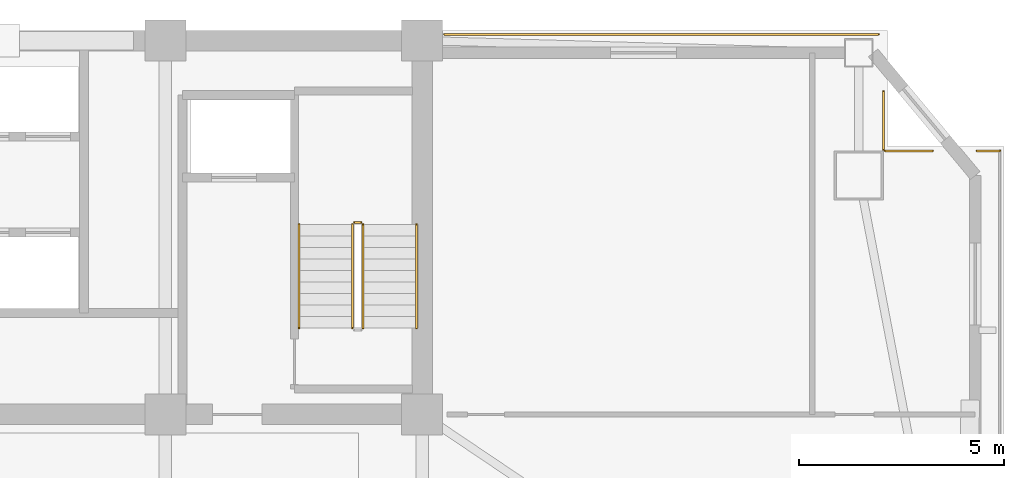
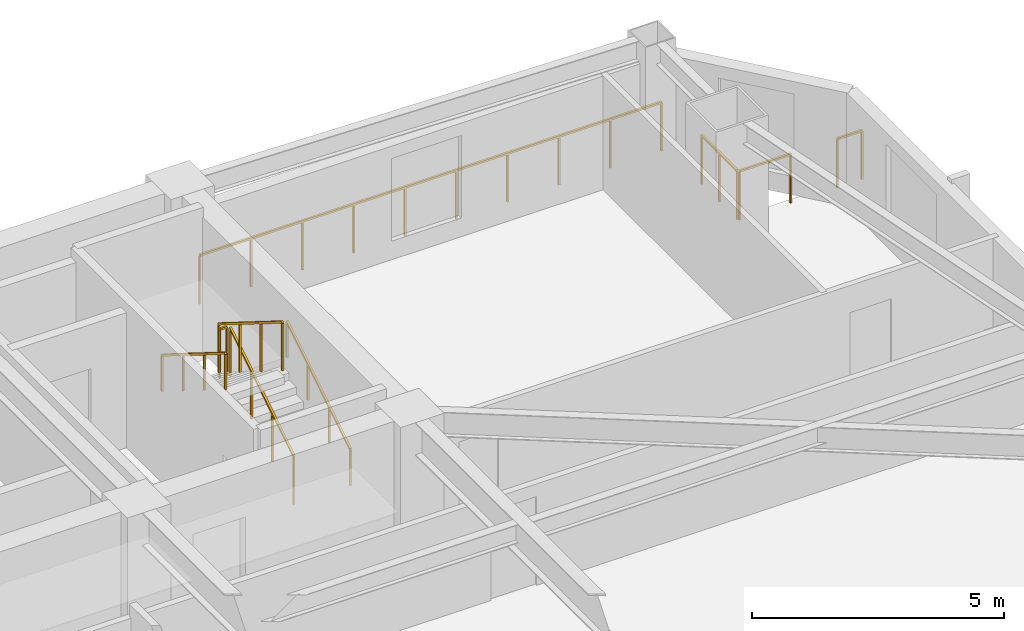
# One storey, part 17 of 17: 9 railings.
"""IFC4 building model written with IfcOpenShell, lengths in metres."""

from ifc_helpers import new_model, si_unit, direction, frame, origin, origin_2d, place, context, subcontext, project, spatial, rectangle, extrude, material, type_object, element, save


model = new_model("IFC4")

# Units and contexts
model_context = context("Model", 3, precision=1e-05, world=origin(), true_north=direction((0.0, 1.0)))
body_context = subcontext(model_context, "Body", "Model", "MODEL_VIEW")
ifc_project = project(units=[si_unit("LENGTHUNIT", "METRE"), si_unit("AREAUNIT", "SQUARE_METRE"), si_unit("VOLUMEUNIT", "CUBIC_METRE"), si_unit("PLANEANGLEUNIT", "RADIAN"), si_unit("MASSUNIT", "GRAM", prefix="KILO")], contexts=[model_context])

# Site, building, storey
site_placement = place(None, origin())
site = spatial("IfcSite", under=ifc_project, at=site_placement, CompositionType="ELEMENT")
building_placement = place(site_placement, origin())
building = spatial("IfcBuilding", under=site, at=building_placement, Name="Giltprow Tower", CompositionType="ELEMENT")
storey_placement = place(building_placement, frame((0.0, 0.0, 195.699951171875)))
storey = spatial("IfcBuildingStorey", under=building, at=storey_placement, Name="L49", CompositionType="ELEMENT", Elevation=195.699951171875)

# Railings
ifc_material = material(Name="Anodized bronze", Category="metal")
railing_type_1 = type_object("IfcRailingType", Name="RAIL-BALC-GUARD-1200", PredefinedType="BALUSTRADE", material=ifc_material)
railing_1_placement = place(storey_placement, frame((51.0849609375, 46.699951171875, 0.0)))
element("IfcRailing", 1, at=railing_1_placement, inside=storey, type_object=railing_type_1, Name="L49 Corner Apron Edge Balustrade 10", PredefinedType="BALUSTRADE", context=body_context, shape_type="SweptSolid", body=[
    extrude(rectangle(XDim=0.048095703125, YDim=0.048095703125, at=origin_2d()), frame((0.0, 0.0, 1.17578125), z_axis=(1.0, 0.0, 0.0), x_axis=(0.0, 1.0, 0.0)), (0.0, 0.0, 1.0), 10.575927734375),
    extrude(rectangle(XDim=0.0419921875, YDim=0.0419921875, at=origin_2d()), origin(), (0.0, 0.0, 1.0), 1.15185546875),
    extrude(rectangle(XDim=0.0419921875, YDim=0.0419921875, at=origin_2d()), frame((1.175048828125, 0.0, 0.0)), (0.0, 0.0, 1.0), 1.15185546875),
    extrude(rectangle(XDim=0.0419921875, YDim=0.0419921875, at=origin_2d()), frame((2.35009765625, 0.0, 0.0)), (0.0, 0.0, 1.0), 1.15185546875),
    extrude(rectangle(XDim=0.0419921875, YDim=0.0419921875, at=origin_2d()), frame((3.525390625, 0.0, 0.0)), (0.0, 0.0, 1.0), 1.15185546875),
    extrude(rectangle(XDim=0.0419921875, YDim=0.0419921875, at=origin_2d()), frame((4.700439453125, 0.0, 0.0)), (0.0, 0.0, 1.0), 1.15185546875),
    extrude(rectangle(XDim=0.0419921875, YDim=0.0419921875, at=origin_2d()), frame((5.87548828125, 0.0, 0.0)), (0.0, 0.0, 1.0), 1.15185546875),
    extrude(rectangle(XDim=0.0419921875, YDim=0.0419921875, at=origin_2d()), frame((7.050537109375, 0.0, 0.0)), (0.0, 0.0, 1.0), 1.15185546875),
    extrude(rectangle(XDim=0.0419921875, YDim=0.0419921875, at=origin_2d()), frame((8.225830078125, 0.0, 0.0)), (0.0, 0.0, 1.0), 1.15185546875),
    extrude(rectangle(XDim=0.0419921875, YDim=0.0419921875, at=origin_2d()), frame((9.40087890625, 0.0, 0.0)), (0.0, 0.0, 1.0), 1.15185546875),
    extrude(rectangle(XDim=0.0419921875, YDim=0.0419921875, at=origin_2d()), frame((10.575927734375, 0.0, 0.0)), (0.0, 0.0, 1.0), 1.15185546875),
])
railing_2_placement = place(storey_placement, frame((61.777099609375, 45.30908203125, 0.0)))
element("IfcRailing", 2, at=railing_2_placement, inside=storey, type_object=railing_type_1, Name="L49 Corner Apron Edge Balustrade 11", PredefinedType="BALUSTRADE", context=body_context, shape_type="SweptSolid", body=[
    extrude(rectangle(XDim=0.048095703125, YDim=0.048095703125, at=origin_2d()), frame((0.0, 0.0, 1.17578125), z_axis=(0.0, -1.0, 0.0), x_axis=(1.0, 0.0, 0.0)), (0.0, 0.0, 1.0), 1.4091796875),
    extrude(rectangle(XDim=0.0419921875, YDim=0.0419921875, at=origin_2d()), origin(), (0.0, 0.0, 1.0), 1.15185546875),
    extrude(rectangle(XDim=0.0419921875, YDim=0.0419921875, at=origin_2d()), frame((0.0, -0.70458984375, 0.0)), (0.0, 0.0, 1.0), 1.15185546875),
    extrude(rectangle(XDim=0.0419921875, YDim=0.0419921875, at=origin_2d()), frame((0.0, -1.4091796875, 0.0)), (0.0, 0.0, 1.0), 1.15185546875),
])
railing_3_placement = place(storey_placement, frame((61.81201171875, 43.864990234375, 0.0)))
element("IfcRailing", 3, at=railing_3_placement, inside=storey, type_object=railing_type_1, Name="L49 Corner Apron Edge Balustrade 12", PredefinedType="BALUSTRADE", context=body_context, shape_type="SweptSolid", body=[
    extrude(rectangle(XDim=0.048095703125, YDim=0.048095703125, at=origin_2d()), frame((0.0, 0.0, 1.17578125), z_axis=(1.0, 0.0, 0.0), x_axis=(0.0, 1.0, 0.0)), (0.0, 0.0, 1.0), 1.1669921875),
    extrude(rectangle(XDim=0.0419921875, YDim=0.0419921875, at=origin_2d()), origin(), (0.0, 0.0, 1.0), 1.15185546875),
    extrude(rectangle(XDim=0.0419921875, YDim=0.0419921875, at=origin_2d()), frame((1.1669921875, 0.0, 0.0)), (0.0, 0.0, 1.0), 1.15185546875),
])
railing_4_placement = place(storey_placement, frame((64.0458984375, 43.864990234375, 0.0)))
element("IfcRailing", 4, at=railing_4_placement, inside=storey, type_object=railing_type_1, Name="L49 Corner Apron Edge Balustrade 13", PredefinedType="BALUSTRADE", context=body_context, shape_type="SweptSolid", body=[
    extrude(rectangle(XDim=0.048095703125, YDim=0.048095703125, at=origin_2d()), frame((0.0, 0.0, 1.17578125), z_axis=(1.0, 0.0, 0.0), x_axis=(0.0, 1.0, 0.0)), (0.0, 0.0, 1.0), 0.566162109375),
    extrude(rectangle(XDim=0.0419921875, YDim=0.0419921875, at=origin_2d()), origin(), (0.0, 0.0, 1.0), 1.15185546875),
    extrude(rectangle(XDim=0.0419921875, YDim=0.0419921875, at=origin_2d()), frame((0.566162109375, 0.0, 0.0)), (0.0, 0.0, 1.0), 1.15185546875),
])
railing_type_2 = type_object("IfcRailingType", Name="RAIL-STAIR-GUARD-1200", PredefinedType="GUARDRAIL", material=ifc_material)
railing_5_placement = place(storey_placement, frame((49.110107421875, 39.550048828125, 0.175048828125)))
element("IfcRailing", 5, at=railing_5_placement, inside=storey, type_object=railing_type_2, Name="L49 ST-3 stair guard 1", PredefinedType="GUARDRAIL", context=body_context, shape_type="SweptSolid", body=[
    extrude(rectangle(XDim=0.048095703125, YDim=0.048095703125, at=origin_2d()), frame((0.0, 0.0, 1.17578125), z_axis=(0.0, 0.848007534815, 0.529984170421), x_axis=(-1.0, 0.0, 0.0)), (0.0, 0.0, 1.0), 2.9716796875),
    extrude(rectangle(XDim=0.0419921875, YDim=0.0419921875, at=origin_2d()), origin(), (0.0, 0.0, 1.0), 1.15185546875),
    extrude(rectangle(XDim=0.0419921875, YDim=0.0419921875, at=origin_2d()), frame((0.0, 0.840087890625, 0.52490234375)), (0.0, 0.0, 1.0), 1.15185546875),
    extrude(rectangle(XDim=0.0419921875, YDim=0.0419921875, at=origin_2d()), frame((0.0, 1.679931640625, 1.050048828125)), (0.0, 0.0, 1.0), 1.15185546875),
    extrude(rectangle(XDim=0.0419921875, YDim=0.0419921875, at=origin_2d()), frame((0.0, 2.52001953125, 1.574951171875)), (0.0, 0.0, 1.0), 1.15185546875),
])
railing_6_placement = place(storey_placement, frame((49.06005859375, 42.1201171875, 1.75)))
element("IfcRailing", 6, at=railing_6_placement, inside=storey, type_object=railing_type_2, Name="L49 ST-3 stair guard 2", PredefinedType="GUARDRAIL", context=body_context, shape_type="SweptSolid", body=[
    extrude(rectangle(XDim=0.048095703125, YDim=0.048095703125, at=origin_2d()), frame((0.0, 0.0, 1.17578125), z_axis=(-1.0, 0.0, 0.0), x_axis=(0.0, -1.0, 0.0)), (0.0, 0.0, 1.0), 0.16015625),
    extrude(rectangle(XDim=0.0419921875, YDim=0.0419921875, at=origin_2d()), origin(), (0.0, 0.0, 1.0), 1.15185546875),
    extrude(rectangle(XDim=0.0419921875, YDim=0.0419921875, at=origin_2d()), frame((-0.16015625, 0.0, 0.0)), (0.0, 0.0, 1.0), 1.15185546875),
])
railing_7_placement = place(storey_placement, frame((48.85009765625, 42.070068359375, 1.925048828125)))
element("IfcRailing", 7, at=railing_7_placement, inside=storey, type_object=railing_type_2, Name="L49 ST-3 stair guard 3", PredefinedType="GUARDRAIL", context=body_context, shape_type="SweptSolid", body=[
    extrude(rectangle(XDim=0.048095703125, YDim=0.048095703125, at=origin_2d()), frame((0.0, 0.0, 1.17578125), z_axis=(0.0, -0.848007534815, 0.529984170421), x_axis=(1.0, 0.0, 0.0)), (0.0, 0.0, 1.0), 2.9716796875),
    extrude(rectangle(XDim=0.0419921875, YDim=0.0419921875, at=origin_2d()), origin(), (0.0, 0.0, 1.0), 1.15185546875),
    extrude(rectangle(XDim=0.0419921875, YDim=0.0419921875, at=origin_2d()), frame((0.0, -0.840087890625, 0.52490234375)), (0.0, 0.0, 1.0), 1.15185546875),
    extrude(rectangle(XDim=0.0419921875, YDim=0.0419921875, at=origin_2d()), frame((0.0, -1.679931640625, 1.050048828125)), (0.0, 0.0, 1.0), 1.15185546875),
    extrude(rectangle(XDim=0.0419921875, YDim=0.0419921875, at=origin_2d()), frame((0.0, -2.52001953125, 1.574951171875)), (0.0, 0.0, 1.0), 1.15185546875),
])
railing_type_3 = type_object("IfcRailingType", Name="RAIL-STAIR-HAND-900", PredefinedType="HANDRAIL", material=ifc_material)
railing_8_placement = place(storey_placement, frame((50.409912109375, 39.550048828125, 0.175048828125)))
element("IfcRailing", 8, at=railing_8_placement, inside=storey, type_object=railing_type_3, Name="L49 ST-3 stair handrail 1", PredefinedType="HANDRAIL", context=body_context, shape_type="SweptSolid", body=[
    extrude(rectangle(XDim=0.048095703125, YDim=0.048095703125, at=origin_2d()), frame((0.0, 0.0, 0.8759765625), z_axis=(0.0, 0.848007534815, 0.529984170421), x_axis=(-1.0, 0.0, 0.0)), (0.0, 0.0, 1.0), 2.9716796875),
    extrude(rectangle(XDim=0.0419921875, YDim=0.0419921875, at=origin_2d()), origin(), (0.0, 0.0, 1.0), 0.851806640625),
    extrude(rectangle(XDim=0.0419921875, YDim=0.0419921875, at=origin_2d()), frame((0.0, 0.840087890625, 0.52490234375)), (0.0, 0.0, 1.0), 0.851806640625),
    extrude(rectangle(XDim=0.0419921875, YDim=0.0419921875, at=origin_2d()), frame((0.0, 1.679931640625, 1.050048828125)), (0.0, 0.0, 1.0), 0.851806640625),
    extrude(rectangle(XDim=0.0419921875, YDim=0.0419921875, at=origin_2d()), frame((0.0, 2.52001953125, 1.574951171875)), (0.0, 0.0, 1.0), 0.851806640625),
])
railing_9_placement = place(storey_placement, frame((47.550048828125, 42.070068359375, 1.925048828125)))
element("IfcRailing", 9, at=railing_9_placement, inside=storey, type_object=railing_type_3, Name="L49 ST-3 stair handrail 2", PredefinedType="HANDRAIL", context=body_context, shape_type="SweptSolid", body=[
    extrude(rectangle(XDim=0.048095703125, YDim=0.048095703125, at=origin_2d()), frame((0.0, 0.0, 0.8759765625), z_axis=(0.0, -0.848007534815, 0.529984170421), x_axis=(1.0, 0.0, 0.0)), (0.0, 0.0, 1.0), 2.9716796875),
    extrude(rectangle(XDim=0.0419921875, YDim=0.0419921875, at=origin_2d()), origin(), (0.0, 0.0, 1.0), 0.851806640625),
    extrude(rectangle(XDim=0.0419921875, YDim=0.0419921875, at=origin_2d()), frame((0.0, -0.840087890625, 0.52490234375)), (0.0, 0.0, 1.0), 0.851806640625),
    extrude(rectangle(XDim=0.0419921875, YDim=0.0419921875, at=origin_2d()), frame((0.0, -1.679931640625, 1.050048828125)), (0.0, 0.0, 1.0), 0.851806640625),
    extrude(rectangle(XDim=0.0419921875, YDim=0.0419921875, at=origin_2d()), frame((0.0, -2.52001953125, 1.574951171875)), (0.0, 0.0, 1.0), 0.851806640625),
])

save(model, "model.ifc")
